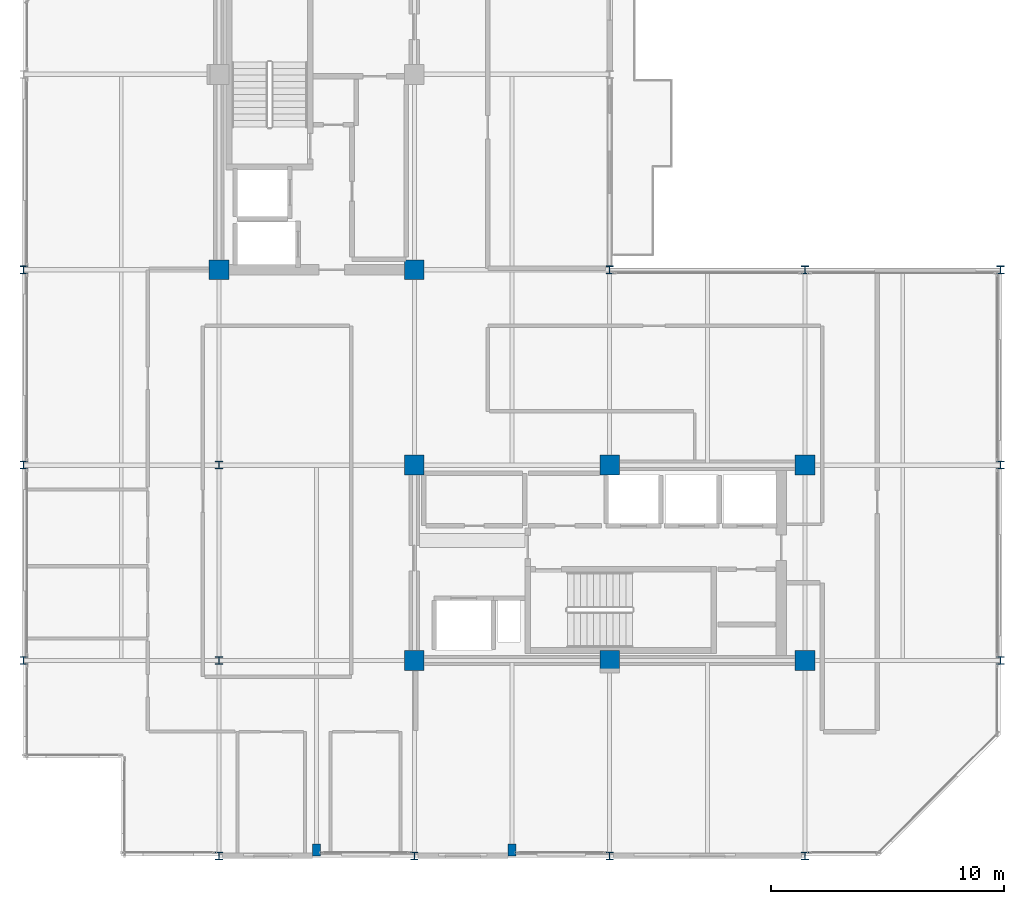
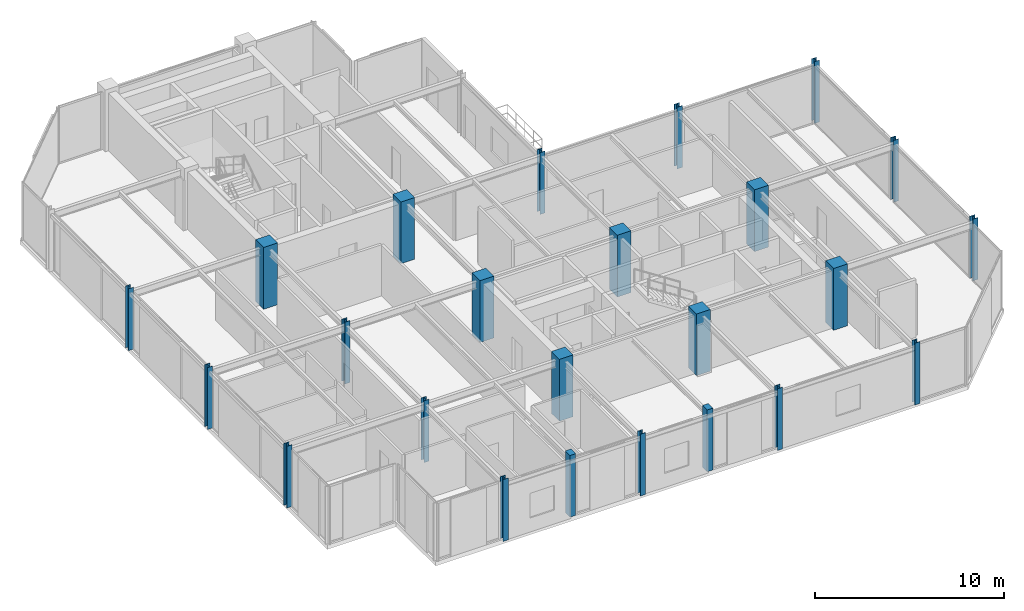
# One storey, part 1 of 26: 24 columns.
"""IFC4 building model written with IfcOpenShell, lengths in metres."""

from ifc_helpers import new_model, si_unit, direction, frame, origin, origin_2d, place, context, subcontext, project, spatial, rectangle, i_section, extrude, material, material_profile, profile_set, type_object, element, save


model = new_model("IFC4")

# Units and contexts
model_context = context("Model", 3, precision=1e-05, world=origin(), true_north=direction((0.0, 1.0)))
body_context = subcontext(model_context, "Body", "Model", "MODEL_VIEW")
ifc_project = project(units=[si_unit("LENGTHUNIT", "METRE"), si_unit("AREAUNIT", "SQUARE_METRE"), si_unit("VOLUMEUNIT", "CUBIC_METRE"), si_unit("PLANEANGLEUNIT", "RADIAN"), si_unit("MASSUNIT", "GRAM", prefix="KILO")], contexts=[model_context])

# Site, building, storey
site_placement = place(None, origin())
site = spatial("IfcSite", under=ifc_project, at=site_placement, CompositionType="ELEMENT")
building_placement = place(site_placement, origin())
building = spatial("IfcBuilding", under=site, at=building_placement, Name="Nerrivon Quay Data Exchange", CompositionType="ELEMENT")
storey_placement = place(building_placement, frame((0.0, 0.0, 274.199951171875)))
storey = spatial("IfcBuildingStorey", under=building, at=storey_placement, Name="L65", CompositionType="ELEMENT", Elevation=274.199951171875)

# Columns
ifc_material_1 = material(Name="Concrete N50 (50 MPa)", Category="concrete")
ifc_material_profile_1 = material_profile(ifc_material_1, rectangle(XDim=0.85009765625, YDim=0.85009765625, at=origin_2d()), Name="RC-COL-850x850")
ifc_profile_set_1 = profile_set([ifc_material_profile_1], Name="Concrete N50 (50 MPa)")
column_type_1 = type_object("IfcColumnType", Name="COL-C5-850", PredefinedType="COLUMN", material=ifc_profile_set_1)
for number, where, z_axis, x_axis, name in (
    (1, (8.39990234375, 25.199951171875, 0.0), (0.0, 0.0, 1.0), (1.0, 0.0, 0.0), "L65 Column (8.4,25.2)"),
    (2, (16.800048828125, 8.39990234375, 0.0), (0.0, 0.0, 1.0), (1.0, 0.0, 0.0), "L65 Column (16.8,8.4)"),
    (3, (16.800048828125, 16.800048828125, 0.0), (0.0, 0.0, 1.0), (1.0, 0.0, 0.0), "L65 Column (16.8,16.8)"),
    (4, (16.800048828125, 25.199951171875, 0.0), (0.0, 0.0, 1.0), (1.0, 0.0, 0.0), "L65 Column (16.8,25.2)"),
    (5, (25.199951171875, 8.39990234375, 0.0), (0.0, 0.0, 1.0), (1.0, 0.0, 0.0), "L65 Column (25.2,8.4)"),
    (6, (25.199951171875, 16.800048828125, 0.0), (0.0, 0.0, 1.0), (1.0, 0.0, 0.0), "L65 Column (25.2,16.8)"),
    (7, (33.60009765625, 8.39990234375, 0.0), (0.0, 0.0, 1.0), (1.0, 0.0, 0.0), "L65 Column (33.6,8.4)"),
    (8, (33.60009765625, 16.800048828125, 0.0), (0.0, 0.0, 1.0), (1.0, 0.0, 0.0), "L65 Column (33.6,16.8)"),
):
    element("IfcColumn", number, at=place(storey_placement, frame(where, z_axis=z_axis, x_axis=x_axis)), inside=storey, type_object=column_type_1, Name=name, PredefinedType="COLUMN", context=body_context, shape_type="SweptSolid", body=[
        extrude(rectangle(XDim=0.85009765625, YDim=0.85009765625, at=origin_2d()), origin(), (0.0, 0.0, 1.0), 4.0),
    ])
ifc_material_2 = material(Name="Steel Grade 350", Category="steel")
ifc_material_profile_2 = material_profile(ifc_material_2, i_section(OverallWidth=0.31103515625, OverallDepth=0.326904296875, WebThickness=0.015625, FlangeThickness=0.02490234375, FilletRadius=0.0166015625, at=origin_2d()), Name="310UC158")
ifc_profile_set_2 = profile_set([ifc_material_profile_2], Name="Steel Grade 350")
column_type_2 = type_object("IfcColumnType", Name="COL-SC4-310UC158", PredefinedType="COLUMN", material=ifc_profile_set_2)
for number, where, z_axis, x_axis, name in (
    (9, (0.0, 8.39990234375, 0.0), (0.0, 0.0, 1.0), (1.0, 0.0, 0.0), "L65 Column (0.0,8.4)"),
    (10, (0.0, 16.800048828125, 0.0), (0.0, 0.0, 1.0), (1.0, 0.0, 0.0), "L65 Column (0.0,16.8)"),
    (11, (0.0, 25.199951171875, 0.0), (0.0, 0.0, 1.0), (1.0, 0.0, 0.0), "L65 Column (0.0,25.2)"),
    (12, (8.39990234375, 0.0, 0.0), (0.0, 0.0, 1.0), (1.0, 0.0, 0.0), "L65 Column (8.4,0.0)"),
    (13, (8.39990234375, 8.39990234375, 0.0), (0.0, 0.0, 1.0), (1.0, 0.0, 0.0), "L65 Column (8.4,8.4)"),
    (14, (8.39990234375, 16.800048828125, 0.0), (0.0, 0.0, 1.0), (1.0, 0.0, 0.0), "L65 Column (8.4,16.8)"),
    (15, (16.800048828125, 0.0, 0.0), (0.0, 0.0, 1.0), (1.0, 0.0, 0.0), "L65 Column (16.8,0.0)"),
    (16, (25.199951171875, 0.0, 0.0), (0.0, 0.0, 1.0), (1.0, 0.0, 0.0), "L65 Column (25.2,0.0)"),
    (17, (25.199951171875, 25.199951171875, 0.0), (0.0, 0.0, 1.0), (1.0, 0.0, 0.0), "L65 Column (25.2,25.2)"),
    (18, (33.60009765625, 0.0, 0.0), (0.0, 0.0, 1.0), (1.0, 0.0, 0.0), "L65 Column (33.6,0.0)"),
    (19, (33.60009765625, 25.199951171875, 0.0), (0.0, 0.0, 1.0), (1.0, 0.0, 0.0), "L65 Column (33.6,25.2)"),
    (20, (42.0, 8.39990234375, 0.0), (0.0, 0.0, 1.0), (1.0, 0.0, 0.0), "L65 Column (42.0,8.4)"),
    (21, (42.0, 16.800048828125, 0.0), (0.0, 0.0, 1.0), (1.0, 0.0, 0.0), "L65 Column (42.0,16.8)"),
    (22, (42.0, 25.199951171875, 0.0), (0.0, 0.0, 1.0), (1.0, 0.0, 0.0), "L65 Column (42.0,25.2)"),
):
    element("IfcColumn", number, at=place(storey_placement, frame(where, z_axis=z_axis, x_axis=x_axis)), inside=storey, type_object=column_type_2, Name=name, PredefinedType="COLUMN", context=body_context, shape_type="SweptSolid", body=[
        extrude(i_section(OverallWidth=0.31103515625, OverallDepth=0.326904296875, WebThickness=0.015625, FlangeThickness=0.02490234375, FilletRadius=0.0166015625, at=origin_2d()), origin(), (0.0, 0.0, 1.0), 4.0),
    ])
ifc_material_profile_3 = material_profile(ifc_material_1, rectangle(XDim=0.35009765625, YDim=0.5, at=origin_2d()), Name="RC-PIL-500x350")
ifc_profile_set_3 = profile_set([ifc_material_profile_3], Name="Concrete N50 (50 MPa)")
column_type_3 = type_object("IfcColumnType", Name="PIL-P2-500x350", PredefinedType="PILASTER", material=ifc_profile_set_3)
for number, where, z_axis, x_axis, name in (
    (23, (12.60009765625, 0.25, 0.0), (0.0, 0.0, 1.0), (1.0, 0.0, 0.0), "L65 Facade Pilaster (12.6)"),
    (24, (21.0, 0.25, 0.0), (0.0, 0.0, 1.0), (1.0, 0.0, 0.0), "L65 Facade Pilaster (21.0)"),
):
    element("IfcColumn", number, at=place(storey_placement, frame(where, z_axis=z_axis, x_axis=x_axis)), inside=storey, type_object=column_type_3, Name=name, PredefinedType="PILASTER", context=body_context, shape_type="SweptSolid", body=[
        extrude(rectangle(XDim=0.35009765625, YDim=0.5, at=origin_2d()), origin(), (0.0, 0.0, 1.0), 4.0),
    ])

save(model, "model.ifc")
